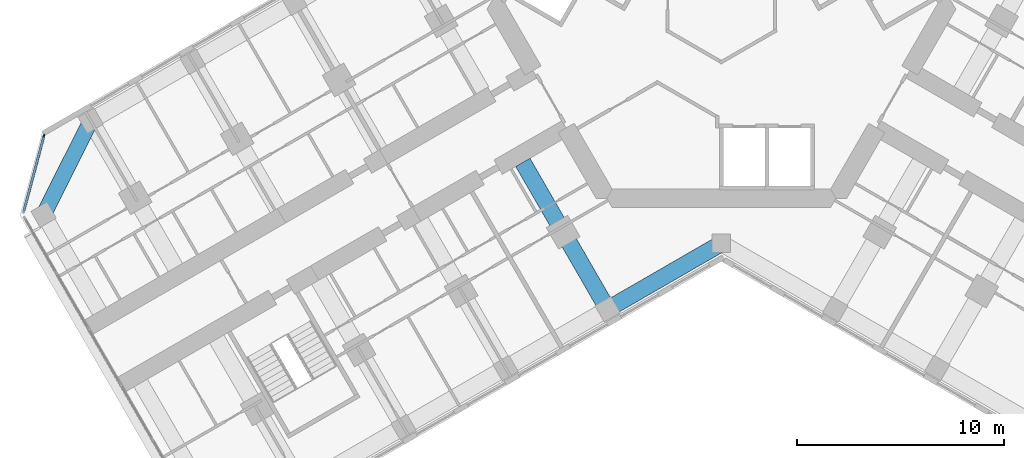
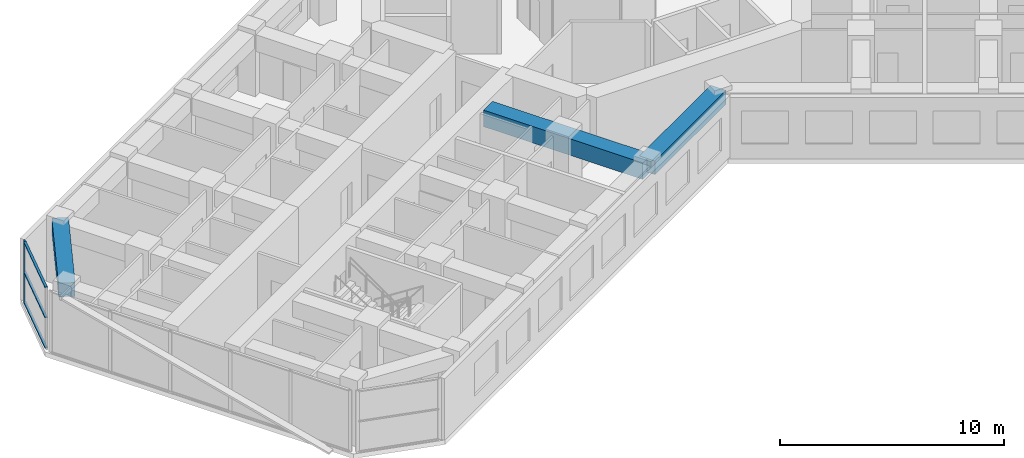
# One storey, part 3 of 19: 4 members, 3 beams, 1 element without a shape of its own.
"""IFC4 building model written with IfcOpenShell, lengths in metres."""

from ifc_helpers import new_model, si_unit, direction, frame, origin, origin_2d, place, context, subcontext, project, spatial, rectangle, extrude, material, material_profile, profile_set, type_object, element, aggregate, save


model = new_model("IFC4")

# Units and contexts
model_context = context("Model", 3, precision=1e-05, world=origin(), true_north=direction((0.0, 1.0)))
body_context = subcontext(model_context, "Body", "Model", "MODEL_VIEW")
ifc_project = project(units=[si_unit("LENGTHUNIT", "METRE"), si_unit("AREAUNIT", "SQUARE_METRE"), si_unit("VOLUMEUNIT", "CUBIC_METRE"), si_unit("PLANEANGLEUNIT", "RADIAN"), si_unit("MASSUNIT", "GRAM", prefix="KILO")], contexts=[model_context])

# Site, building, storey
site_placement = place(None, origin())
site = spatial("IfcSite", under=ifc_project, at=site_placement, CompositionType="ELEMENT")
building_placement = place(site_placement, origin())
building = spatial("IfcBuilding", under=site, at=building_placement, Name="Kosmar Iwan School Tower", CompositionType="ELEMENT")
storey_placement = place(building_placement, frame((0.0, 0.0, 149.0)))
storey = spatial("IfcBuildingStorey", under=building, at=storey_placement, Name="L37", CompositionType="ELEMENT", Elevation=149.0)

# Curtain wall, member
ifc_material_1 = material(Name="Dark glass in black aluminium frame", Category="aluminium")
curtain_wall_type = type_object("IfcCurtainWallType", Name="Chamfer curtain wall dark glass", PredefinedType="USERDEFINED", material=ifc_material_1)
curtain_wall_placement = place(storey_placement, origin())
curtain_wall = element("IfcCurtainWall", 1, at=curtain_wall_placement, inside=storey, type_object=curtain_wall_type, Name="Curtain wall L37-F12", ObjectType="FACETED CURTAIN WALL", PredefinedType="USERDEFINED")
ifc_material_2 = material(Name="Black anodised aluminium", Category="aluminium")
ifc_material_profile_1 = material_profile(ifc_material_2, rectangle(XDim=0.06005859375, YDim=0.159912109375, at=origin_2d()), Name="MULLION 60x160")
ifc_profile_set_1 = profile_set([ifc_material_profile_1], Name="Black anodised aluminium")
member_type_1 = type_object("IfcMemberType", Name="Mullion 60x160", PredefinedType="MULLION", material=ifc_profile_set_1)
member_1_placement = place(storey_placement, frame((-32.78076171875, -6.5732421875, 0.0), z_axis=(0.0, 0.0, 1.0), x_axis=(0.965925875495, -0.258818861462, 0.0)))
member_1 = element("IfcMember", 2, at=member_1_placement, type_object=member_type_1, Name="CW2 mullion 1", PredefinedType="MULLION", context=body_context, shape_type="SweptSolid", body=[
    extrude(rectangle(XDim=0.06005859375, YDim=0.159912109375, at=origin_2d()), origin(), (0.0, 0.0, 1.0), 3.35009765625),
])

# Beams
ifc_material_3 = material(Name="Concrete C50/60", Category="concrete")
ifc_material_profile_2 = material_profile(ifc_material_3, rectangle(XDim=0.800048828125, YDim=0.75, at=origin_2d()), Name="RC 800x750")
ifc_profile_set_2 = profile_set([ifc_material_profile_2], Name="Concrete C50/60")
beam_type_1 = type_object("IfcBeamType", Name="RC edge beam 800x750", PredefinedType="BEAM", material=ifc_profile_set_2)
beam_1_placement = place(storey_placement, frame((0.0, -11.77783203125, 2.97509765625), z_axis=(-0.866014293216, -0.500019243575, 0.0), x_axis=(0.500019243575, -0.866014293216, 0.0)))
element("IfcBeam", 3, at=beam_1_placement, inside=storey, type_object=beam_type_1, Name="Edge beam BL1", PredefinedType="BEAM", context=body_context, shape_type="SweptSolid", body=[
    extrude(rectangle(XDim=0.800048828125, YDim=0.75, at=origin_2d()), origin(), (0.0, 0.0, 1.0), 6.361083984375),
])
ifc_material_4 = material(Name="Concrete C50/60", Category="concrete")
ifc_material_profile_3 = material_profile(ifc_material_4, rectangle(XDim=0.75, YDim=0.75, at=origin_2d()), Name="RC 750x750")
ifc_profile_set_3 = profile_set([ifc_material_profile_3], Name="Concrete C50/60")
beam_type_2 = type_object("IfcBeamType", Name="RC tip beam 750x750", PredefinedType="BEAM", material=ifc_profile_set_3)
beam_2_placement = place(storey_placement, frame((-30.517822265625, -5.841552734375, 2.97509765625), z_axis=(-0.44809604203, -0.893985423325, 0.0), x_axis=(0.893985423325, -0.44809604203, 0.0)))
element("IfcBeam", 4, at=beam_2_placement, inside=storey, type_object=beam_type_2, Name="Tip beam BR", PredefinedType="BEAM", context=body_context, shape_type="SweptSolid", body=[
    extrude(rectangle(XDim=0.75, YDim=0.75, at=origin_2d()), origin(), (0.0, 0.0, 1.0), 5.08935546875),
])
ifc_material_5 = material(Name="Concrete C50/60", Category="concrete")
ifc_material_profile_4 = material_profile(ifc_material_5, rectangle(XDim=0.800048828125, YDim=0.89990234375, at=origin_2d()), Name="RC 800x900")
ifc_profile_set_4 = profile_set([ifc_material_profile_4], Name="Concrete C50/60")
beam_type_3 = type_object("IfcBeamType", Name="RC transverse beam 800x900", PredefinedType="BEAM", material=ifc_profile_set_4)
beam_3_placement = place(storey_placement, frame((-5.5087890625, -14.95849609375, 2.89990234375), z_axis=(-0.500000789788, 0.8660249478, 0.0), x_axis=(-0.8660249478, -0.500000789788, 0.0)))
element("IfcBeam", 5, at=beam_3_placement, inside=storey, type_object=beam_type_3, Name="Transverse beam BL1", PredefinedType="BEAM", context=body_context, shape_type="SweptSolid", body=[
    extrude(rectangle(XDim=0.800048828125, YDim=0.89990234375, at=origin_2d()), origin(), (0.0, 0.0, 1.0), 8.2001953125),
])

# Member
ifc_material_6 = material(Name="Black anodised aluminium", Category="aluminium")
ifc_material_profile_5 = material_profile(ifc_material_6, rectangle(XDim=0.1201171875, YDim=0.06005859375, at=origin_2d()), Name="TRANSOM 60x120")
ifc_profile_set_5 = profile_set([ifc_material_profile_5], Name="Black anodised aluminium")
member_type_2 = type_object("IfcMemberType", Name="Transom 60x120", PredefinedType="USERDEFINED", material=ifc_profile_set_5)
member_2_placement = place(storey_placement, frame((-32.788330078125, -6.602294921875, 0.030029296875), z_axis=(-0.258843273983, -0.965919333854, 0.0), x_axis=(0.965919333854, -0.258843273983, 0.0)))
member_2 = element("IfcMember", 6, at=member_2_placement, type_object=member_type_2, Name="CW2 transom 1.1", ObjectType="TRANSOM", PredefinedType="USERDEFINED", context=body_context, shape_type="SweptSolid", body=[
    extrude(rectangle(XDim=0.1201171875, YDim=0.06005859375, at=origin_2d()), origin(), (0.0, 0.0, 1.0), 3.718994140625),
])

member_3_placement = place(storey_placement, frame((-32.788330078125, -6.602294921875, 1.675048828125), z_axis=(-0.258843273983, -0.965919333854, 0.0), x_axis=(0.965919333854, -0.258843273983, 0.0)))
member_3 = element("IfcMember", 7, at=member_3_placement, type_object=member_type_2, Name="CW2 transom 1.2", ObjectType="TRANSOM", PredefinedType="USERDEFINED", context=body_context, shape_type="SweptSolid", body=[
    extrude(rectangle(XDim=0.1201171875, YDim=0.06005859375, at=origin_2d()), origin(), (0.0, 0.0, 1.0), 3.718994140625),
])

member_4_placement = place(storey_placement, frame((-32.788330078125, -6.602294921875, 3.320068359375), z_axis=(-0.258843273983, -0.965919333854, 0.0), x_axis=(0.965919333854, -0.258843273983, 0.0)))
member_4 = element("IfcMember", 8, at=member_4_placement, type_object=member_type_2, Name="CW2 transom 1.3", ObjectType="TRANSOM", PredefinedType="USERDEFINED", context=body_context, shape_type="SweptSolid", body=[
    extrude(rectangle(XDim=0.1201171875, YDim=0.06005859375, at=origin_2d()), origin(), (0.0, 0.0, 1.0), 3.718994140625),
])

aggregate(curtain_wall, [member_1, member_2, member_3, member_4])

save(model, "model.ifc")
